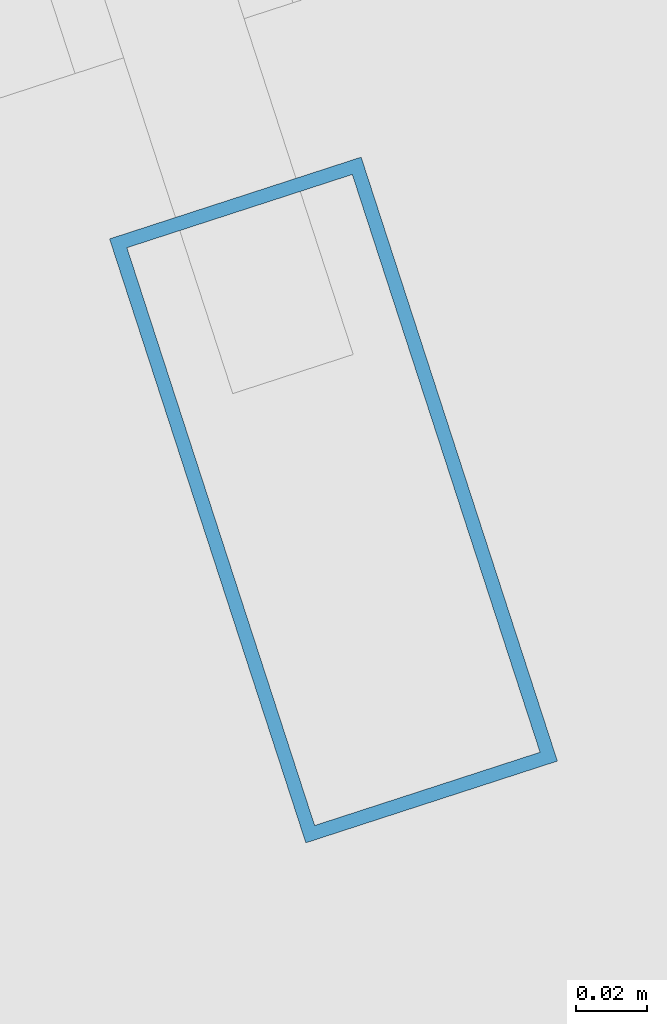
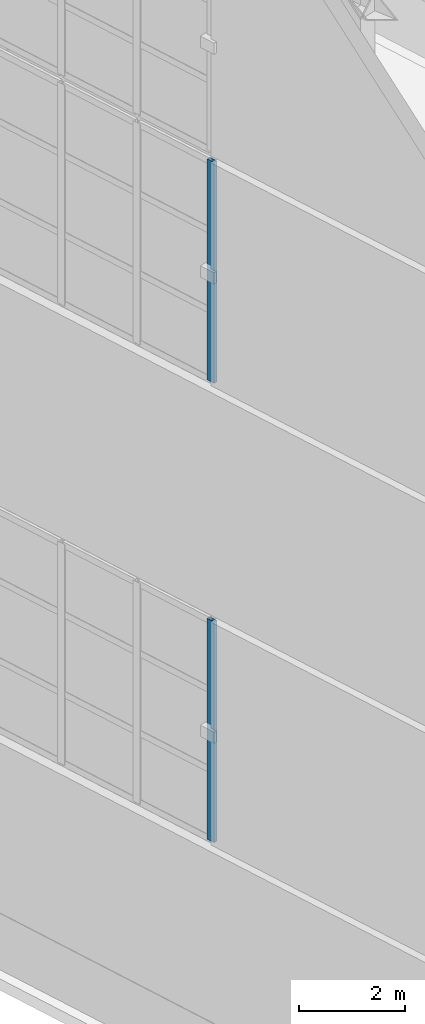
# One storey, part 16 of 56: 2 members, 2 elements without a shape of their own.
"""IFC4 building model written with IfcOpenShell, lengths in metres."""

from ifc_helpers import new_model, si_unit, direction, frame, origin, origin_2d, place, context, subcontext, project, spatial, hollow_rectangle, extrude, material, layer, layer_set, material_profile, profile_set, type_object, element, aggregate, save


model = new_model("IFC4")

# Units and contexts
model_context = context("Model", 3, precision=1e-05, world=origin(), true_north=direction((0.0, 1.0)))
body_context = subcontext(model_context, "Body", "Model", "MODEL_VIEW")
ifc_project = project(units=[si_unit("LENGTHUNIT", "METRE"), si_unit("AREAUNIT", "SQUARE_METRE"), si_unit("VOLUMEUNIT", "CUBIC_METRE"), si_unit("PLANEANGLEUNIT", "RADIAN"), si_unit("MASSUNIT", "GRAM", prefix="KILO")], contexts=[model_context])

# Site, building, storey
site_placement = place(None, origin())
site = spatial("IfcSite", under=ifc_project, at=site_placement, CompositionType="ELEMENT")
building_placement = place(site_placement, origin())
building = spatial("IfcBuilding", under=site, at=building_placement, Name="Qiaolan Cultural Towers", CompositionType="ELEMENT")
storey_placement = place(building_placement, frame((0.0, 0.0, 250.39990234375)))
storey = spatial("IfcBuildingStorey", under=building, at=storey_placement, Name="L68", CompositionType="ELEMENT", Elevation=250.39990234375)

# Curtain wall, member
ifc_material_1 = material(Name="Unitized Anodized Aluminium Curtain Wall System", Category="aluminium")
ifc_layer = layer(ifc_material_1, 0.199951171875)
ifc_layer_set = layer_set([ifc_layer], Name="Unitized Anodized Aluminium Curtain Wall System")
curtain_wall_type = type_object("IfcCurtainWallType", Name="CWS-06", PredefinedType="NOTDEFINED", material=ifc_layer_set)
curtain_wall_1_placement = place(storey_placement, origin())
curtain_wall_1 = element("IfcCurtainWall", 1, at=curtain_wall_1_placement, inside=storey, type_object=curtain_wall_type, Name="T2 Crown Tier 2 Fritted Screen Curtain Wall 7", PredefinedType="NOTDEFINED")
ifc_material_2 = material(Name="Extruded Aluminium 6063-T6", Category="aluminium")
ifc_material_profile = material_profile(ifc_material_2, hollow_rectangle(XDim=0.074951171875, YDim=0.179931640625, WallThickness=0.00390625, at=origin_2d()), Name="CWM-180x75x4")
ifc_profile_set = profile_set([ifc_material_profile], Name="Extruded Aluminium 6063-T6")
member_type = type_object("IfcMemberType", Name="CWS-06-MUL", PredefinedType="MULLION", material=ifc_profile_set)
member_1_placement = place(storey_placement, frame((78.59619140625, 24.277587890625, 5.400146484375), z_axis=(0.0, 0.0, 1.0), x_axis=(0.951056535512, 0.309016935232, 0.0)))
member_1 = element("IfcMember", 2, at=member_1_placement, type_object=member_type, Name="CW-6 mullion 7", PredefinedType="MULLION", context=body_context, shape_type="SweptSolid", body=[
    extrude(hollow_rectangle(XDim=0.074951171875, YDim=0.179931640625, WallThickness=0.00390625, at=origin_2d()), origin(), (0.0, 0.0, 1.0), 5.099853515625),
])
aggregate(curtain_wall_1, [member_1])

curtain_wall_2_placement = place(storey_placement, origin())
curtain_wall_2 = element("IfcCurtainWall", 3, at=curtain_wall_2_placement, inside=storey, type_object=curtain_wall_type, Name="T2 Crown Tier 4 Fritted Screen Curtain Wall 7", PredefinedType="NOTDEFINED")
member_2_placement = place(storey_placement, frame((78.59619140625, 24.277587890625, 16.0), z_axis=(0.0, 0.0, 1.0), x_axis=(0.951056535512, 0.309016935232, 0.0)))
member_2 = element("IfcMember", 4, at=member_2_placement, type_object=member_type, Name="CW-6 mullion 7", PredefinedType="MULLION", context=body_context, shape_type="SweptSolid", body=[
    extrude(hollow_rectangle(XDim=0.074951171875, YDim=0.179931640625, WallThickness=0.00390625, at=origin_2d()), origin(), (0.0, 0.0, 1.0), 5.10009765625),
])
aggregate(curtain_wall_2, [member_2])

save(model, "model.ifc")
